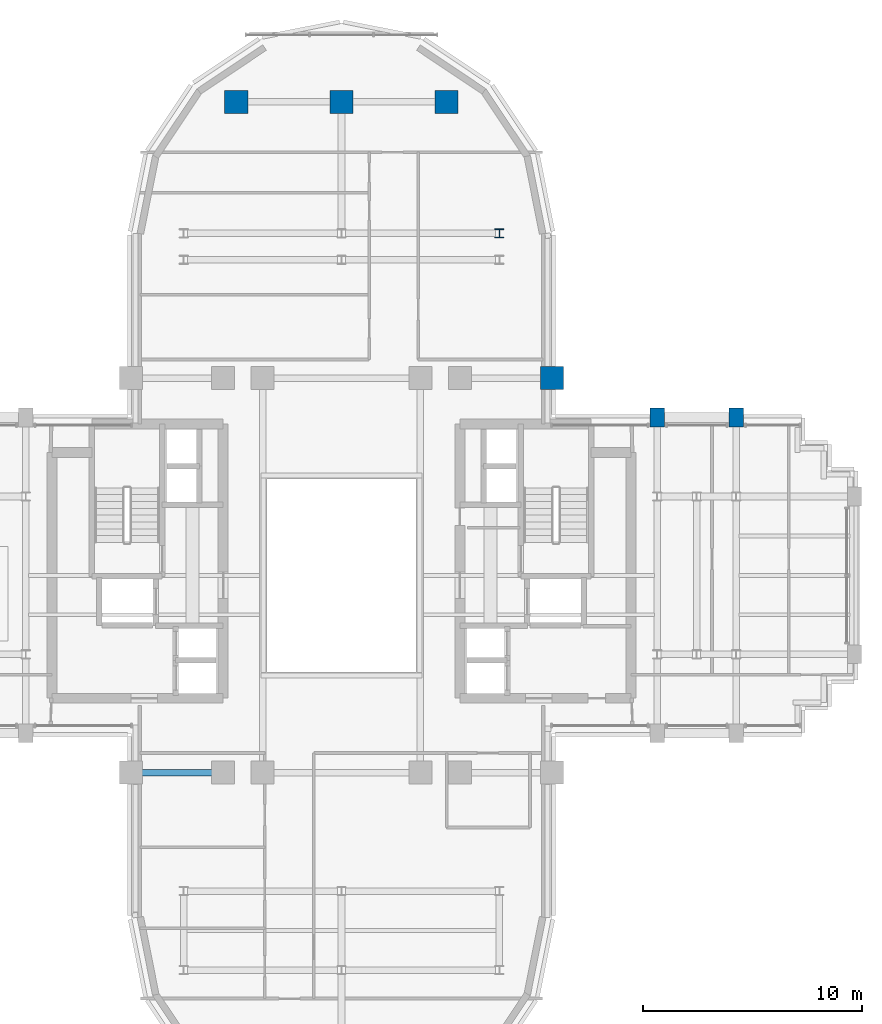
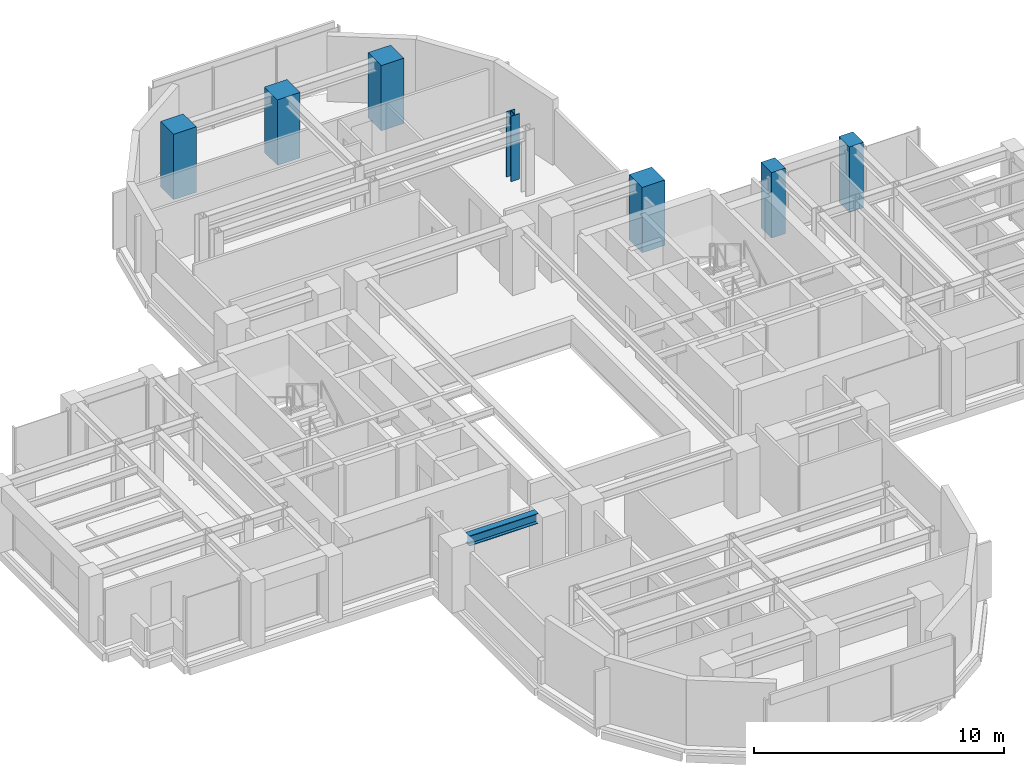
# One storey, part 2 of 13: 7 columns, 1 beam.
"""IFC4 building model written with IfcOpenShell, lengths in metres."""

from ifc_helpers import new_model, si_unit, direction, frame, origin, origin_2d, place, context, subcontext, project, spatial, rectangle, i_section, extrude, source, transform, mapped, material, material_profile, profile_set, type_object, element, save


model = new_model("IFC4")

# Units and contexts
model_context = context("Model", 3, precision=1e-05, world=origin(), true_north=direction((0.0, 1.0)))
body_context = subcontext(model_context, "Body", "Model", "MODEL_VIEW")
ifc_project = project(units=[si_unit("LENGTHUNIT", "METRE"), si_unit("AREAUNIT", "SQUARE_METRE"), si_unit("VOLUMEUNIT", "CUBIC_METRE"), si_unit("PLANEANGLEUNIT", "RADIAN"), si_unit("MASSUNIT", "GRAM", prefix="KILO")], contexts=[model_context])

# Site, building, storey
site_placement = place(None, origin())
site = spatial("IfcSite", under=ifc_project, at=site_placement, CompositionType="ELEMENT")
building_placement = place(site_placement, origin())
building = spatial("IfcBuilding", under=site, at=building_placement, Name="Keilestroom Media Tower", CompositionType="ELEMENT")
storey_placement = place(building_placement, frame((0.0, 0.0, 131.199951171875)))
storey = spatial("IfcBuildingStorey", under=building, at=storey_placement, Name="L35", CompositionType="ELEMENT", Elevation=131.199951171875)

# Columns
ifc_material_1 = material(Name="Precast concrete C40/50", Category="concrete")
ifc_material_profile_1 = material_profile(ifc_material_1, rectangle(XDim=0.64990234375, YDim=0.85009765625, at=origin_2d()), Name="PC 850x650")
ifc_profile_set_1 = profile_set([ifc_material_profile_1], Name="Precast concrete C40/50")
column_type_1 = type_object("IfcColumnType", Name="Structural-Column-PC-850x650", PredefinedType="COLUMN", material=ifc_profile_set_1)
shared_shape_1 = source(origin(), body_context, "Body", "SweptSolid", [
    extrude(rectangle(XDim=0.64990234375, YDim=0.85009765625, at=origin_2d()), origin(), (0.0, 0.0, 1.0), 3.199951171875),
])
for number, where, z_axis, x_axis, name in (
    (1, (14.39990234375, 7.199951171875, 0.0), (0.0, 0.0, 1.0), (1.0, 0.0, 0.0), "L35 Column PC-2 (+14.4,+7.2)"),
    (2, (18.0, 7.199951171875, 0.0), (0.0, 0.0, 1.0), (1.0, 0.0, 0.0), "L35 Column PC-2 (+18.0,+7.2)"),
):
    element("IfcColumn", number, at=place(storey_placement, frame(where, z_axis=z_axis, x_axis=x_axis)), inside=storey, type_object=column_type_1, Name=name, PredefinedType="COLUMN", context=body_context, shape_type="MappedRepresentation", body=[
        mapped(shared_shape_1, transform((0.0, 0.0, 0.0), x_axis=(1.0, 0.0, 0.0), y_axis=(0.0, 1.0, 0.0), z_axis=(0.0, 0.0, 1.0), scale=1.0)),
    ])
ifc_material_2 = material(Name="Steel S355", Category="steel")
ifc_material_profile_2 = material_profile(ifc_material_2, i_section(OverallWidth=0.40087890625, OverallDepth=0.39892578125, WebThickness=0.02001953125, FlangeThickness=0.031982421875, at=origin_2d()), Name="HD 400x314")
ifc_profile_set_2 = profile_set([ifc_material_profile_2], Name="Steel S355")
column_type_2 = type_object("IfcColumnType", Name="Structural-Column-HD-400x314", PredefinedType="COLUMN", material=ifc_profile_set_2)
shared_shape_2 = source(origin(), body_context, "Body", "SweptSolid", [
    extrude(i_section(OverallWidth=0.40087890625, OverallDepth=0.39892578125, WebThickness=0.02001953125, FlangeThickness=0.031982421875, at=origin_2d()), origin(), (0.0, 0.0, 1.0), 3.199951171875),
])
column_placement = place(storey_placement, frame((7.199951171875, 15.60009765625, 0.0), z_axis=(0.0, 0.0, 1.0), x_axis=(1.0, 0.0, 0.0)))
element("IfcColumn", 3, at=column_placement, inside=storey, type_object=column_type_2, Name="L35 Column SC-3 (+7.2,+15.6)", PredefinedType="COLUMN", context=body_context, shape_type="MappedRepresentation", body=[
    mapped(shared_shape_2, transform((0.0, 0.0, 0.0), x_axis=(1.0, 0.0, 0.0), y_axis=(0.0, 1.0, 0.0), z_axis=(0.0, 0.0, 1.0), scale=1.0)),
])
ifc_material_3 = material(Name="Concrete C55/67", Category="concrete")
ifc_material_profile_3 = material_profile(ifc_material_3, rectangle(XDim=1.050048828125, YDim=1.050048828125, at=origin_2d()), Name="RC 1050x1050")
ifc_profile_set_3 = profile_set([ifc_material_profile_3], Name="Concrete C55/67")
column_type_3 = type_object("IfcColumnType", Name="Structural-Column-RC-1050x1050", PredefinedType="COLUMN", material=ifc_profile_set_3)
shared_shape_3 = source(origin(), body_context, "Body", "SweptSolid", [
    extrude(rectangle(XDim=1.050048828125, YDim=1.050048828125, at=origin_2d()), origin(), (0.0, 0.0, 1.0), 3.199951171875),
])
for number, where, z_axis, x_axis, name in (
    (4, (-4.800048828125, 21.60009765625, 0.0), (0.0, 0.0, 1.0), (1.0, 0.0, 0.0), "L35 Column MC-3 (-4.8,+21.6)"),
    (5, (0.0, 21.60009765625, 0.0), (0.0, 0.0, 1.0), (1.0, 0.0, 0.0), "L35 Column MC-3 (+0.0,+21.6)"),
    (6, (4.800048828125, 21.60009765625, 0.0), (0.0, 0.0, 1.0), (1.0, 0.0, 0.0), "L35 Column MC-3 (+4.8,+21.6)"),
    (7, (9.60009765625, 9.0, 0.0), (0.0, 0.0, 1.0), (1.0, 0.0, 0.0), "L35 Column MC-3 (+9.6,+9.0)"),
):
    element("IfcColumn", number, at=place(storey_placement, frame(where, z_axis=z_axis, x_axis=x_axis)), inside=storey, type_object=column_type_3, Name=name, PredefinedType="COLUMN", context=body_context, shape_type="MappedRepresentation", body=[
        mapped(shared_shape_3, transform((0.0, 0.0, 0.0), x_axis=(1.0, 0.0, 0.0), y_axis=(0.0, 1.0, 0.0), z_axis=(0.0, 0.0, 1.0), scale=1.0)),
    ])

# Beam
ifc_material_profile_4 = material_profile(ifc_material_2, i_section(OverallWidth=0.300048828125, OverallDepth=0.5, WebThickness=0.012451171875, FlangeThickness=0.028076171875, at=origin_2d()), Name="HEB 500")
ifc_profile_set_4 = profile_set([ifc_material_profile_4], Name="Steel S355")
beam_type = type_object("IfcBeamType", Name="Primary-Structural-Girder-HEB-500", PredefinedType="BEAM", material=ifc_profile_set_4)
shared_shape_4 = source(origin(), body_context, "Body", "SweptSolid", [
    extrude(i_section(OverallWidth=0.300048828125, OverallDepth=0.5, WebThickness=0.012451171875, FlangeThickness=0.028076171875, at=origin_2d()), origin(), (0.0, 0.0, 1.0), 3.18994140625),
])
beam_placement = place(storey_placement, frame((-9.094970703125, -9.0, 2.949951171875), z_axis=(1.0, 0.0, 0.0), x_axis=(0.0, 1.0, 0.0)))
element("IfcBeam", 8, at=beam_placement, inside=storey, type_object=beam_type, Name="L35 Beam BG-6 BM-L35-EW-007", PredefinedType="BEAM", context=body_context, shape_type="MappedRepresentation", body=[
    mapped(shared_shape_4, transform((0.0, 0.0, 0.0), x_axis=(1.0, 0.0, 0.0), y_axis=(0.0, 1.0, 0.0), z_axis=(0.0, 0.0, 1.0), scale=1.0)),
])

save(model, "model.ifc")
